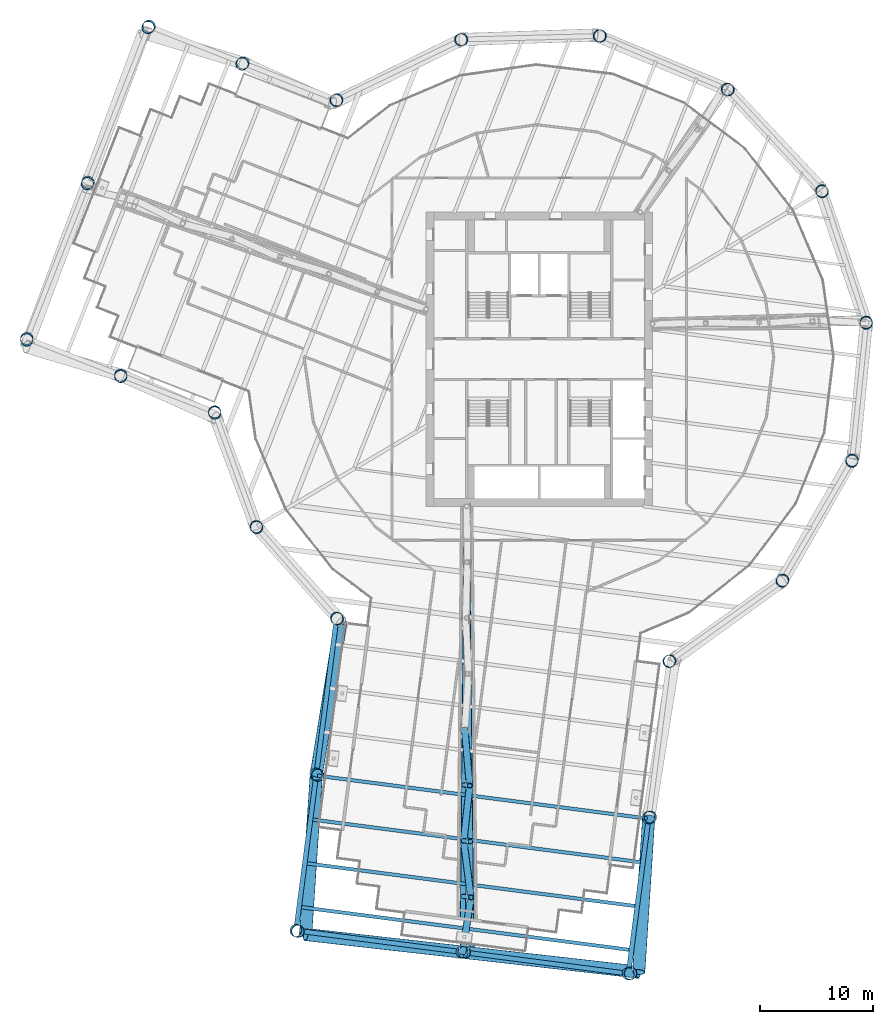
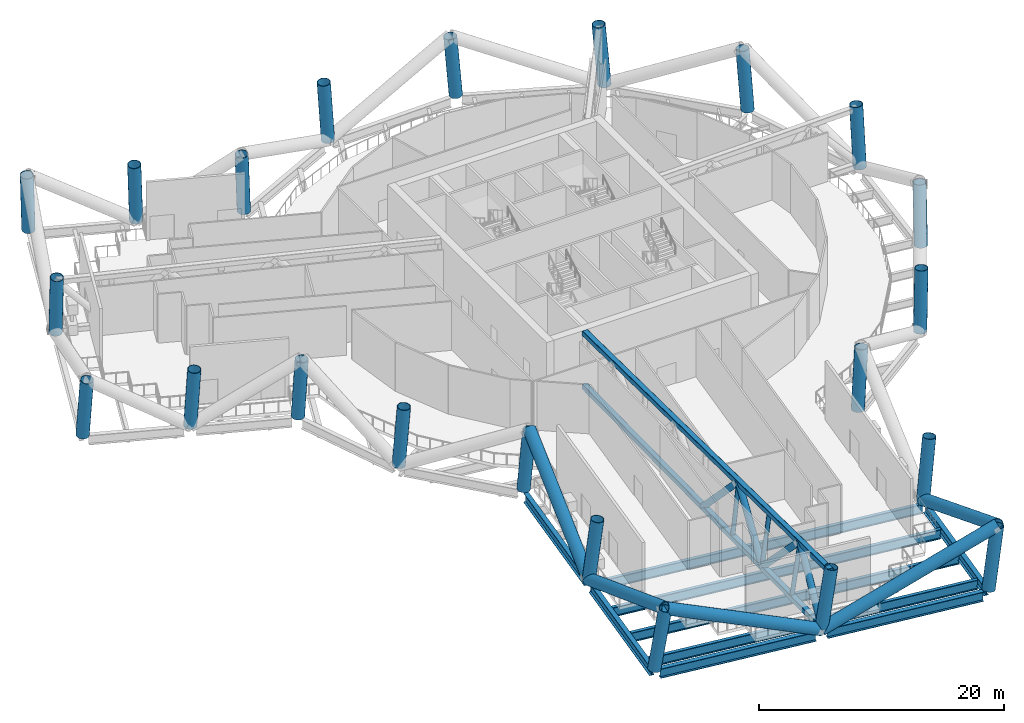
# One storey, part 1 of 36: 22 columns, 14 members, 9 beams.
"""IFC4 building model written with IfcOpenShell, lengths in metres."""

from ifc_helpers import new_model, si_unit, direction, frame, origin, origin_2d, place, context, subcontext, project, spatial, hollow_rectangle, hollow_circle, i_section, extrude, material, material_profile, profile_set, type_object, element, save


model = new_model("IFC4")

# Units and contexts
model_context = context("Model", 3, precision=1e-05, world=origin(), true_north=direction((0.0, 1.0)))
body_context = subcontext(model_context, "Body", "Model", "MODEL_VIEW")
ifc_project = project(units=[si_unit("LENGTHUNIT", "METRE"), si_unit("AREAUNIT", "SQUARE_METRE"), si_unit("VOLUMEUNIT", "CUBIC_METRE"), si_unit("PLANEANGLEUNIT", "RADIAN"), si_unit("MASSUNIT", "GRAM", prefix="KILO")], contexts=[model_context])

# Site, building, storey
site_placement = place(None, origin())
site = spatial("IfcSite", under=ifc_project, at=site_placement, CompositionType="ELEMENT")
building_placement = place(site_placement, origin())
building = spatial("IfcBuilding", under=site, at=building_placement, Name="Tarsis Ring Headquarters", CompositionType="ELEMENT")
storey_placement = place(building_placement, frame((0.0, 0.0, 194.39990234375)))
storey = spatial("IfcBuildingStorey", under=building, at=storey_placement, Name="L45", CompositionType="ELEMENT", Elevation=194.39990234375)

# Columns
ifc_material = material(Name="Structural steel S355", Category="steel")
ifc_material_profile_1 = material_profile(ifc_material, hollow_circle(Radius=0.558837890625, WallThickness=0.044921875, at=origin_2d()), Name="CHS 1118x45")
ifc_profile_set_1 = profile_set([ifc_material_profile_1], Name="Structural steel S355")
column_type = type_object("IfcColumnType", Name="XC Exo column CHS 1118x45", PredefinedType="COLUMN", material=ifc_profile_set_1)
for number, where, z_axis, x_axis, name in (
    (1, (-25.00244140625, -14.7880859375, 0.017333984375), (0.041723987409, -0.069254477634, 0.996726103903), (0.856556793645, 0.516052767903, 0.0), "Exo column XC4 F1"),
    (2, (-17.89501953125, -22.882080078125, 0.017333984375), (0.064115414663, -0.049269351726, 0.996725511153), (0.609320664207, 0.792923910707, 0.0), "Exo column XC4 AK"),
):
    element("IfcColumn", number, at=place(storey_placement, frame(where, z_axis=z_axis, x_axis=x_axis)), inside=storey, type_object=column_type, Name=name, PredefinedType="COLUMN", context=body_context, shape_type="SweptSolid", body=[
        extrude(hollow_circle(Radius=0.558837890625, WallThickness=0.044921875, at=origin_2d()), origin(), (0.0, 0.0, 1.0), 5.98583984375),
    ])
column_1_placement = place(storey_placement, frame((-19.68408203125, -36.6689453125, 0.024169921875), z_axis=(0.10217502958, -0.053735591713, 0.993314023617), x_axis=(0.465470064088, 0.885063624514, 0.0)))
element("IfcColumn", 3, at=column_1_placement, inside=storey, type_object=column_type, Name="Exo column XC4 AI1", PredefinedType="COLUMN", context=body_context, shape_type="SweptSolid", body=[
    extrude(hollow_circle(Radius=0.558837890625, WallThickness=0.044921875, at=origin_2d()), origin(), (0.0, 0.0, 1.0), 5.99267578125),
])
column_2_placement = place(storey_placement, frame((-21.47265625, -50.455810546875, 0.03125), z_axis=(0.139742635998, -0.058148215212, 0.988479023931), x_axis=(0.384176897374, 0.923259503891, 0.0)))
element("IfcColumn", 4, at=column_2_placement, inside=storey, type_object=column_type, Name="Exo column XC4 AT1", PredefinedType="COLUMN", context=body_context, shape_type="SweptSolid", body=[
    extrude(hollow_circle(Radius=0.558837890625, WallThickness=0.044921875, at=origin_2d()), origin(), (0.0, 0.0, 1.0), 6.00830078125),
])
column_3_placement = place(storey_placement, frame((-6.7958984375, -52.36083984375, 0.030029296875), z_axis=(0.144768110636, -0.017562432967, 0.989309736681), x_axis=(0.120431272188, 0.992721667276, 0.0)))
element("IfcColumn", 5, at=column_3_placement, inside=storey, type_object=column_type, Name="Exo column XC4 AT2", PredefinedType="COLUMN", context=body_context, shape_type="SweptSolid", body=[
    extrude(hollow_circle(Radius=0.558837890625, WallThickness=0.044921875, at=origin_2d()), origin(), (0.0, 0.0, 1.0), 6.00537109375),
])
column_4_placement = place(storey_placement, frame((7.881103515625, -54.265625, 0.03125), z_axis=(0.149576765581, 0.022999307068, 0.988482586125), x_axis=(-0.151976475637, 0.988384110988, 0.0)))
element("IfcColumn", 6, at=column_4_placement, inside=storey, type_object=column_type, Name="Exo column XC4 AT3", PredefinedType="COLUMN", context=body_context, shape_type="SweptSolid", body=[
    extrude(hollow_circle(Radius=0.558837890625, WallThickness=0.044921875, at=origin_2d()), origin(), (0.0, 0.0, 1.0), 6.008056640625),
])
column_5_placement = place(storey_placement, frame((9.669677734375, -40.479248046875, 0.024169921875), z_axis=(0.112034355018, 0.027743780279, 0.993316961474), x_axis=(-0.240375650678, 0.970679940331, 0.0)))
element("IfcColumn", 7, at=column_5_placement, inside=storey, type_object=column_type, Name="Exo column XC4 AO1", PredefinedType="COLUMN", context=body_context, shape_type="SweptSolid", body=[
    extrude(hollow_circle(Radius=0.558837890625, WallThickness=0.044921875, at=origin_2d()), origin(), (0.0, 0.0, 1.0), 5.99267578125),
])
for number, where, z_axis, x_axis, name in (
    (8, (11.458740234375, -26.69287109375, 0.017333984375), (0.074026447683, 0.032506379506, 0.996726351781), (-0.402062271646, 0.915612325015, 0.0), "Exo column XC4 AJ"),
    (9, (21.442626953125, -19.5966796875, 0.017333984375), (0.054041397032, 0.060118505075, 0.996727291065), (-0.743695416292, 0.668518606911, 0.0), "Exo column XC4 R1"),
    (10, (27.61376953125, -9.01611328125, 0.017333984375), (0.024471575607, 0.077044677204, 0.996727274485), (-0.953078063219, 0.302724636279, 0.0), "Exo column XC4 R2"),
    (11, (28.875244140625, 3.16748046875, 0.017333984375), (-0.009462323176, 0.080307389367, 0.996725231773), (-0.993129931481, -0.117016832963, 0.0), "Exo column XC4 R3"),
    (12, (25.00244140625, 14.7880859375, 0.017333984375), (-0.041723987409, 0.069254477634, 0.996726103903), (-0.856556793645, -0.516052767903, 0.0), "Exo column XC4 R4"),
    (13, (16.684326171875, 23.779296875, 0.017333984375), (-0.066562645347, 0.04588417648, 0.996726670955), (-0.567556105455, -0.823334723646, 0.0), "Exo column XC4 R5"),
    (14, (5.3994140625, 28.542236328125, 0.017333984375), (-0.079573275372, 0.014356633999, 0.996725629703), (-0.177553622182, -0.98411112749, 0.0), "Exo column XC4 R6"),
    (15, (-6.845458984375, 28.23046875, 0.017333984375), (-0.078390675673, -0.019699633897, 0.996728060402), (0.243722742111, -0.969844948937, 0.0), "Exo column XC4 R7"),
    (16, (-17.873046875, 22.89892578125, 0.017333984375), (-0.063340525743, -0.05024824708, 0.996726186806), (0.621490810876, -0.783421452346, 0.0), "Exo column XC4 BJ"),
):
    element("IfcColumn", number, at=place(storey_placement, frame(where, z_axis=z_axis, x_axis=x_axis)), inside=storey, type_object=column_type, Name=name, PredefinedType="COLUMN", context=body_context, shape_type="SweptSolid", body=[
        extrude(hollow_circle(Radius=0.558837890625, WallThickness=0.044921875, at=origin_2d()), origin(), (0.0, 0.0, 1.0), 5.98583984375),
    ])
column_6_placement = place(storey_placement, frame((-26.162109375, 26.146484375, 0.021728515625), z_axis=(-0.072028964869, -0.073251867498, 0.994708998717), x_axis=(0.713033598116, -0.701129865259, 0.0)))
element("IfcColumn", 17, at=column_6_placement, inside=storey, type_object=column_type, Name="Exo column XC4 BO1", PredefinedType="COLUMN", context=body_context, shape_type="SweptSolid", body=[
    extrude(hollow_circle(Radius=0.558837890625, WallThickness=0.044921875, at=origin_2d()), origin(), (0.0, 0.0, 1.0), 5.9892578125),
])
column_7_placement = place(storey_placement, frame((-34.451171875, 29.393798828125, 0.026123046875), z_axis=(-0.080618686883, -0.096131676632, 0.992098446765), x_axis=(0.766222469026, -0.642575386985, 0.0)))
element("IfcColumn", 18, at=column_7_placement, inside=storey, type_object=column_type, Name="Exo column XC4 BT3", PredefinedType="COLUMN", context=body_context, shape_type="SweptSolid", body=[
    extrude(hollow_circle(Radius=0.558837890625, WallThickness=0.044921875, at=origin_2d()), origin(), (0.0, 0.0, 1.0), 5.99609375),
])
column_8_placement = place(storey_placement, frame((-39.850341796875, 15.614013671875, 0.02490234375), z_axis=(-0.042361593721, -0.110873325105, 0.992931317442), x_axis=(0.934139350382, -0.35690849537, 0.0)))
element("IfcColumn", 19, at=column_8_placement, inside=storey, type_object=column_type, Name="Exo column XC4 BT2", PredefinedType="COLUMN", context=body_context, shape_type="SweptSolid", body=[
    extrude(hollow_circle(Radius=0.558837890625, WallThickness=0.044921875, at=origin_2d()), origin(), (0.0, 0.0, 1.0), 5.993896484375),
])
column_9_placement = place(storey_placement, frame((-45.24951171875, 1.833740234375, 0.026123046875), z_axis=(-0.004030929399, -0.125406692414, 0.992097229663), x_axis=(0.999483818308, -0.032126265588, 0.0)))
element("IfcColumn", 20, at=column_9_placement, inside=storey, type_object=column_type, Name="Exo column XC4 BT1", PredefinedType="COLUMN", context=body_context, shape_type="SweptSolid", body=[
    extrude(hollow_circle(Radius=0.558837890625, WallThickness=0.044921875, at=origin_2d()), origin(), (0.0, 0.0, 1.0), 5.99609375),
])
column_10_placement = place(storey_placement, frame((-36.960693359375, -1.413330078125, 0.021728515625), z_axis=(0.004769310289, -0.10264207955, 0.994706920246), x_axis=(0.998922225938, 0.046415369513, 0.0)))
element("IfcColumn", 21, at=column_10_placement, inside=storey, type_object=column_type, Name="Exo column XC4 BI1", PredefinedType="COLUMN", context=body_context, shape_type="SweptSolid", body=[
    extrude(hollow_circle(Radius=0.558837890625, WallThickness=0.044921875, at=origin_2d()), origin(), (0.0, 0.0, 1.0), 5.9892578125),
])
column_11_placement = place(storey_placement, frame((-28.672119140625, -4.66064453125, 0.017333984375), z_axis=(0.013622495114, -0.079695675008, 0.996726154474), x_axis=(0.985703748636, 0.168487744137, 0.0)))
element("IfcColumn", 22, at=column_11_placement, inside=storey, type_object=column_type, Name="Exo column XC4 BK", PredefinedType="COLUMN", context=body_context, shape_type="SweptSolid", body=[
    extrude(hollow_circle(Radius=0.558837890625, WallThickness=0.044921875, at=origin_2d()), origin(), (0.0, 0.0, 1.0), 5.98583984375),
])

# Beams
ifc_material_profile_2 = material_profile(ifc_material, i_section(OverallWidth=0.309814453125, OverallDepth=0.949951171875, WebThickness=0.0244140625, FlangeThickness=0.0439453125, at=origin_2d()), Name="W36x256")
ifc_profile_set_2 = profile_set([ifc_material_profile_2], Name="Structural steel S355")
beam_type_1 = type_object("IfcBeamType", Name="FB Floor beam W36x256", PredefinedType="JOIST", material=ifc_profile_set_2)
for number, where, z_axis, x_axis, name in (
    (23, (-19.588623046875, -36.783447265625, -0.77490234375), (0.991671260193, -0.128794843483, 0.0), (0.128794843483, 0.991671260193, 0.0), "Floor beam FB11"),
    (24, (-20.0908203125, -40.65087890625, -0.77490234375), (0.991671260193, -0.128794843483, 0.0), (0.128794843483, 0.991671260193, 0.0), "Floor beam FB11"),
    (25, (-20.59326171875, -44.5185546875, -0.77490234375), (0.991671260193, -0.128794843483, 0.0), (0.128794843483, 0.991671260193, 0.0), "Floor beam FB11"),
    (26, (-21.095458984375, -48.385986328125, -0.77490234375), (0.991671260193, -0.128794843483, 0.0), (0.128794843483, 0.991671260193, 0.0), "Floor beam FB11"),
):
    element("IfcBeam", number, at=place(storey_placement, frame(where, z_axis=z_axis, x_axis=x_axis)), inside=storey, type_object=beam_type_1, Name=name, PredefinedType="JOIST", context=body_context, shape_type="SweptSolid", body=[
        extrude(i_section(OverallWidth=0.309814453125, OverallDepth=0.949951171875, WebThickness=0.0244140625, FlangeThickness=0.0439453125, at=origin_2d()), origin(), (0.0, 0.0, 1.0), 29.375732421875),
    ])

# Members
ifc_material_profile_3 = material_profile(ifc_material, hollow_rectangle(XDim=0.508056640625, YDim=0.508056640625, WallThickness=0.025390625, InnerFilletRadius=0.025390625, OuterFilletRadius=0.05078125, at=origin_2d()), Name="HSS 508x508x25")
ifc_profile_set_3 = profile_set([ifc_material_profile_3], Name="Structural steel S355")
member_type_1 = type_object("IfcMemberType", Name="OC Outrigger chord HSS 508x508x25", PredefinedType="CHORD", material=ifc_profile_set_3)
member_1_placement = place(storey_placement, frame((-6.39990234375, -13.0, 0.254150390625), z_axis=(-0.009228200795, -0.999957419248, 0.0), x_axis=(0.999957419248, -0.009228200795, 0.0)))
element("IfcMember", 27, at=member_1_placement, inside=storey, type_object=member_type_1, Name="Outrigger chord OC1", PredefinedType="CHORD", context=body_context, shape_type="SweptSolid", body=[
    extrude(hollow_rectangle(XDim=0.508056640625, YDim=0.508056640625, WallThickness=0.025390625, InnerFilletRadius=0.025390625, OuterFilletRadius=0.05078125, at=origin_2d()), origin(), (0.0, 0.0, 1.0), 39.366455078125),
])
member_2_placement = place(storey_placement, frame((-6.39990234375, -13.0, 5.586181640625), z_axis=(0.010573202768, -0.999944102129, 0.0), x_axis=(0.999944102129, 0.010573202768, 0.0)))
element("IfcMember", 28, at=member_2_placement, inside=storey, type_object=member_type_1, Name="Outrigger chord OC1", PredefinedType="CHORD", context=body_context, shape_type="SweptSolid", body=[
    extrude(hollow_rectangle(XDim=0.508056640625, YDim=0.508056640625, WallThickness=0.025390625, InnerFilletRadius=0.025390625, OuterFilletRadius=0.05078125, at=origin_2d()), origin(), (0.0, 0.0, 1.0), 39.461669921875),
])
ifc_material_profile_4 = material_profile(ifc_material, hollow_circle(Radius=0.3046875, WallThickness=0.02490234375, at=origin_2d()), Name="CHS 610x25")
ifc_profile_set_4 = profile_set([ifc_material_profile_4], Name="Structural steel S355")
member_type_2 = type_object("IfcMemberType", Name="OD Outrigger diagonal CHS 610x25", PredefinedType="BRACE", material=ifc_profile_set_4)
member_3_placement = place(storey_placement, frame((-6.58154296875, -32.682373046875, 0.254150390625), z_axis=(0.060524318433, -0.681299405677, 0.729498407608), x_axis=(0.996077233288, 0.088488108384, 0.0)))
element("IfcMember", 29, at=member_3_placement, inside=storey, type_object=member_type_2, Name="Outrigger diagonal OD1", PredefinedType="BRACE", context=body_context, shape_type="SweptSolid", body=[
    extrude(hollow_circle(Radius=0.3046875, WallThickness=0.02490234375, at=origin_2d()), origin(), (0.0, 0.0, 1.0), 7.30908203125),
])
member_4_placement = place(storey_placement, frame((-6.13916015625, -37.662109375, 5.586181640625), z_axis=(-0.073694553097, -0.671922910178, -0.736945530974), x_axis=(0.994039191011, -0.109023331149, 0.0)))
element("IfcMember", 30, at=member_4_placement, inside=storey, type_object=member_type_2, Name="Outrigger diagonal OD1", PredefinedType="BRACE", context=body_context, shape_type="SweptSolid", body=[
    extrude(hollow_circle(Radius=0.3046875, WallThickness=0.02490234375, at=origin_2d()), origin(), (0.0, 0.0, 1.0), 7.2353515625),
])
member_5_placement = place(storey_placement, frame((-6.67236328125, -42.523681640625, 0.254150390625), z_axis=(0.086849841828, -0.681693090165, 0.726465164888), x_axis=(0.991981700816, 0.12638158587, 0.0)))
element("IfcMember", 31, at=member_5_placement, inside=storey, type_object=member_type_2, Name="Outrigger diagonal OD1", PredefinedType="BRACE", context=body_context, shape_type="SweptSolid", body=[
    extrude(hollow_circle(Radius=0.3046875, WallThickness=0.02490234375, at=origin_2d()), origin(), (0.0, 0.0, 1.0), 7.339599609375),
])
member_6_placement = place(storey_placement, frame((-6.034912109375, -47.527099609375, 5.586181640625), z_axis=(-0.100641683544, -0.668526637419, -0.736846922091), x_axis=(0.988857513452, -0.148865100309, 0.0)))
element("IfcMember", 32, at=member_6_placement, inside=storey, type_object=member_type_2, Name="Outrigger diagonal OD1", PredefinedType="BRACE", context=body_context, shape_type="SweptSolid", body=[
    extrude(hollow_circle(Radius=0.3046875, WallThickness=0.02490234375, at=origin_2d()), origin(), (0.0, 0.0, 1.0), 7.236328125),
])
ifc_material_profile_5 = material_profile(ifc_material, hollow_circle(Radius=0.203125, WallThickness=0.01611328125, at=origin_2d()), Name="CHS 406x16")
ifc_profile_set_5 = profile_set([ifc_material_profile_5], Name="Structural steel S355")
member_type_3 = type_object("IfcMemberType", Name="OV Outrigger post CHS 406x16", PredefinedType="STRUT", material=ifc_profile_set_5)
member_7_placement = place(storey_placement, frame((-6.626953125, -37.60302734375, 0.508056640625), z_axis=(0.10059797475, -0.012184539484, 0.994852544086), x_axis=(0.120242335277, 0.99274456977, 0.0)))
element("IfcMember", 33, at=member_7_placement, inside=storey, type_object=member_type_3, Name="Outrigger post OV1", PredefinedType="STRUT", context=body_context, shape_type="SweptSolid", body=[
    extrude(hollow_circle(Radius=0.203125, WallThickness=0.01611328125, at=origin_2d()), origin(), (0.0, 0.0, 1.0), 4.848876953125),
])
member_8_placement = place(storey_placement, frame((-6.67236328125, -42.523681640625, 0.508056640625), z_axis=(0.120416113923, -0.014568491046, 0.992616602005), x_axis=(0.120108725757, 0.992760743582, 0.0)))
element("IfcMember", 34, at=member_8_placement, inside=storey, type_object=member_type_3, Name="Outrigger post OV1", PredefinedType="STRUT", context=body_context, shape_type="SweptSolid", body=[
    extrude(hollow_circle(Radius=0.203125, WallThickness=0.01611328125, at=origin_2d()), origin(), (0.0, 0.0, 1.0), 4.85986328125),
])
member_9_placement = place(storey_placement, frame((-6.7177734375, -47.444091796875, 0.508056640625), z_axis=(0.140138124133, -0.017035024028, 0.989985411065), x_axis=(0.120670535597, 0.992692611959, 0.0)))
element("IfcMember", 35, at=member_9_placement, inside=storey, type_object=member_type_3, Name="Outrigger post OV1", PredefinedType="STRUT", context=body_context, shape_type="SweptSolid", body=[
    extrude(hollow_circle(Radius=0.203125, WallThickness=0.01611328125, at=origin_2d()), origin(), (0.0, 0.0, 1.0), 4.872802734375),
])
member_type_4 = type_object("IfcMemberType", Name="TD Belt truss diagonal CHS 1118x45", PredefinedType="BRACE", material=ifc_profile_set_1)
member_10_placement = place(storey_placement, frame((-19.6865234375, -36.667724609375, 0.0), z_axis=(0.145826679456, 0.903932373045, 0.402045823906), x_axis=(-0.987235774582, 0.159265581298, 0.0)))
element("IfcMember", 36, at=member_10_placement, inside=storey, type_object=member_type_4, Name="Belt truss diagonal TD4", PredefinedType="BRACE", context=body_context, shape_type="SweptSolid", body=[
    extrude(hollow_circle(Radius=0.558837890625, WallThickness=0.044921875, at=origin_2d()), origin(), (0.0, 0.0, 1.0), 14.923583984375),
])
member_11_placement = place(storey_placement, frame((-19.6865234375, -36.667724609375, 0.0), z_axis=(-0.061239678074, -0.918817283925, 0.389903193869), x_axis=(0.997786224996, -0.066503001493, 0.0)))
element("IfcMember", 37, at=member_11_placement, inside=storey, type_object=member_type_4, Name="Belt truss diagonal TD4", PredefinedType="BRACE", context=body_context, shape_type="SweptSolid", body=[
    extrude(hollow_circle(Radius=0.558837890625, WallThickness=0.044921875, at=origin_2d()), origin(), (0.0, 0.0, 1.0), 15.388427734375),
])
member_12_placement = place(storey_placement, frame((-6.80029296875, -52.3603515625, 0.0), z_axis=(-0.912538644615, 0.102511976902, 0.395934990467), x_axis=(-0.111634947408, -0.99374928353, 0.0)))
element("IfcMember", 38, at=member_12_placement, inside=storey, type_object=member_type_4, Name="Belt truss diagonal TD4", PredefinedType="BRACE", context=body_context, shape_type="SweptSolid", body=[
    extrude(hollow_circle(Radius=0.558837890625, WallThickness=0.044921875, at=origin_2d()), origin(), (0.0, 0.0, 1.0), 15.154052734375),
])
member_13_placement = place(storey_placement, frame((-6.80029296875, -52.3603515625, 0.0), z_axis=(0.928049339302, -0.105198794066, 0.357292089961), x_axis=(0.112633422229, 0.993636609731, 0.0)))
element("IfcMember", 39, at=member_13_placement, inside=storey, type_object=member_type_4, Name="Belt truss diagonal TD4", PredefinedType="BRACE", context=body_context, shape_type="SweptSolid", body=[
    extrude(hollow_circle(Radius=0.558837890625, WallThickness=0.044921875, at=origin_2d()), origin(), (0.0, 0.0, 1.0), 16.79296875),
])
member_14_placement = place(storey_placement, frame((9.6669921875, -40.47998046875, 0.0), z_axis=(-0.059098658999, -0.913830384704, 0.40177279213), x_axis=(0.997915344081, -0.064536548157, 0.0)))
element("IfcMember", 40, at=member_14_placement, inside=storey, type_object=member_type_4, Name="Belt truss diagonal TD4", PredefinedType="BRACE", context=body_context, shape_type="SweptSolid", body=[
    extrude(hollow_circle(Radius=0.558837890625, WallThickness=0.044921875, at=origin_2d()), origin(), (0.0, 0.0, 1.0), 14.933837890625),
])

# Beams
ifc_material_profile_6 = material_profile(ifc_material, i_section(OverallWidth=0.42431640625, OverallDepth=0.947509765625, WebThickness=0.02392578125, FlangeThickness=0.042724609375, at=origin_2d()), Name="W36x302")
ifc_profile_set_6 = profile_set([ifc_material_profile_6], Name="Structural steel S355")
beam_type_2 = type_object("IfcBeamType", Name="XG Ring girder W36x302", PredefinedType="BEAM", material=ifc_profile_set_6)
for number, where, z_axis, x_axis, name in (
    (41, (-17.9609375, -23.3798828125, -0.4736328125), (-0.128786404984, -0.991672356119, 0.0), (0.991672356119, -0.128786404984, 0.0), "Ring girder XG1"),
    (42, (-19.75146484375, -37.166259765625, -0.4736328125), (-0.128786404984, -0.991672356119, 0.0), (0.991672356119, -0.128786404984, 0.0), "Ring girder XG1"),
):
    element("IfcBeam", number, at=place(storey_placement, frame(where, z_axis=z_axis, x_axis=x_axis)), inside=storey, type_object=beam_type_2, Name=name, PredefinedType="BEAM", context=body_context, shape_type="SweptSolid", body=[
        extrude(i_section(OverallWidth=0.42431640625, OverallDepth=0.947509765625, WebThickness=0.02392578125, FlangeThickness=0.042724609375, at=origin_2d()), origin(), (0.0, 0.0, 1.0), 12.896484375),
    ])
for number, where, z_axis, x_axis, name in (
    (43, (-20.978515625, -50.518798828125, -0.4736328125), (0.991671515755, -0.128792875732, 0.0), (0.128792875732, 0.991671515755, 0.0), "Ring girder XG1"),
    (44, (-6.3017578125, -52.425048828125, -0.4736328125), (0.991671515755, -0.128792875732, 0.0), (0.128792875732, 0.991671515755, 0.0), "Ring girder XG1"),
):
    element("IfcBeam", number, at=place(storey_placement, frame(where, z_axis=z_axis, x_axis=x_axis)), inside=storey, type_object=beam_type_2, Name=name, PredefinedType="BEAM", context=body_context, shape_type="SweptSolid", body=[
        extrude(i_section(OverallWidth=0.42431640625, OverallDepth=0.947509765625, WebThickness=0.02392578125, FlangeThickness=0.042724609375, at=origin_2d()), origin(), (0.0, 0.0, 1.0), 13.79443359375),
    ])
beam_placement = place(storey_placement, frame((7.941162109375, -53.767578125, -0.4736328125), z_axis=(0.128788822759, 0.991672042125, 0.0), x_axis=(-0.991672042125, 0.128788822759, 0.0)))
element("IfcBeam", 45, at=beam_placement, inside=storey, type_object=beam_type_2, Name="Ring girder XG1", PredefinedType="BEAM", context=body_context, shape_type="SweptSolid", body=[
    extrude(i_section(OverallWidth=0.42431640625, OverallDepth=0.947509765625, WebThickness=0.02392578125, FlangeThickness=0.042724609375, at=origin_2d()), origin(), (0.0, 0.0, 1.0), 12.896240234375),
])

save(model, "model.ifc")
